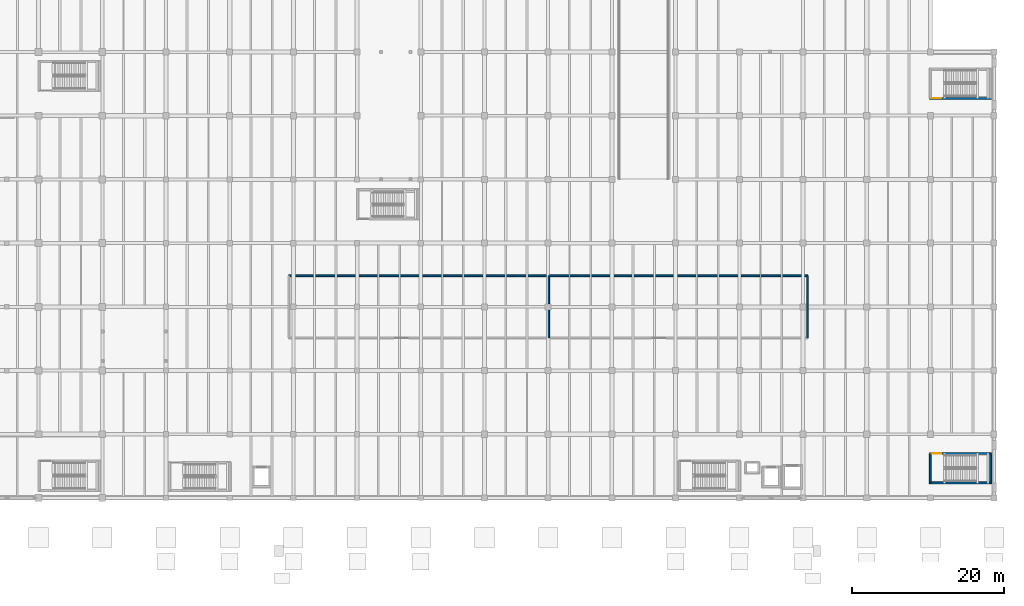
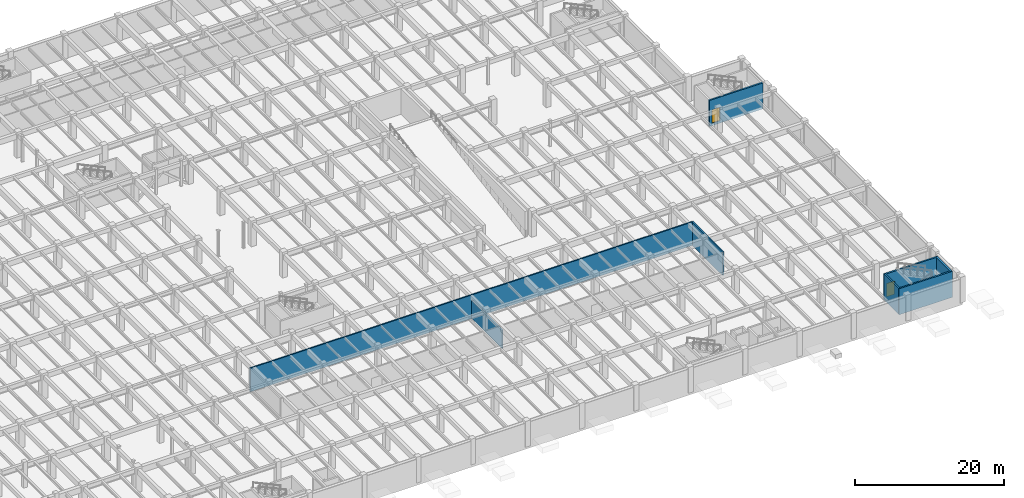
# One storey, part 46 of 63: 8 walls, 2 doors, 2 openings.
"""IFC4 building model written with IfcOpenShell, lengths in metres."""

from ifc_helpers import new_model, si_unit, direction, frame, frame_2d, origin, place, context, subcontext, project, spatial, rectangle, extrude, material, layer, layer_set, type_object, element, fill, save


model = new_model("IFC4")

# Units and contexts
model_context = context("Model", 3, precision=1e-05, world=origin(), true_north=direction((0.0, 1.0)))
body_context = subcontext(model_context, "Body", "Model", "MODEL_VIEW")
ifc_project = project(units=[si_unit("LENGTHUNIT", "METRE"), si_unit("AREAUNIT", "SQUARE_METRE"), si_unit("VOLUMEUNIT", "CUBIC_METRE"), si_unit("PLANEANGLEUNIT", "RADIAN"), si_unit("MASSUNIT", "GRAM", prefix="KILO")], contexts=[model_context])

# Site, building, storey
site_placement = place(None, origin())
site = spatial("IfcSite", under=ifc_project, at=site_placement, CompositionType="ELEMENT")
building_placement = place(site_placement, origin())
building = spatial("IfcBuilding", under=site, at=building_placement, Name="Cumbredor Promenade Congress Hotel", CompositionType="ELEMENT")
storey_placement = place(building_placement, frame((0.0, 0.0, -4.199951171875)))
storey = spatial("IfcBuildingStorey", under=building, at=storey_placement, Name="B01", CompositionType="ELEMENT", Elevation=-4.199951171875)

# Walls
ifc_material_1 = material(Name="Concrete C40/50", Category="concrete")
ifc_layer_1 = layer(ifc_material_1, 0.199951171875, Name="Concrete C40/50", Category="concrete")
ifc_layer_set_1 = layer_set([ifc_layer_1], Name="Concrete C40/50")
wall_type_1 = type_object("IfcWallType", Name="WL-CORE-200", PredefinedType="SOLIDWALL", material=ifc_layer_set_1)
wall_1_placement = place(storey_placement, frame((91.800048828125, 37.699951171875, 0.0), z_axis=(0.0, 0.0, 1.0), x_axis=(1.0, 0.0, 0.0)))
element("IfcWall", 1, at=wall_1_placement, inside=storey, type_object=wall_type_1, Name="B01 Interior Partition W-B01-02N", PredefinedType="SOLIDWALL", context=body_context, shape_type="SweptSolid", body=[
    extrude(rectangle(XDim=68.39990234375, YDim=0.199951171875, at=frame_2d((34.199951171875, 0.0))), origin(), (0.0, 0.0, 1.0), 3.849853515625),
])
wall_2_placement = place(storey_placement, frame((126.10009765625, 29.5, 0.0), z_axis=(0.0, 0.0, 1.0), x_axis=(0.0, 1.0, 0.0)))
element("IfcWall", 2, at=wall_2_placement, inside=storey, type_object=wall_type_1, Name="B01 Interior Partition W-B01-02M", PredefinedType="SOLIDWALL", context=body_context, shape_type="SweptSolid", body=[
    extrude(rectangle(XDim=8.199951171875, YDim=0.199951171875, at=frame_2d((4.10009765625, 0.0))), origin(), (0.0, 0.0, 1.0), 2.98486328125),
])
wall_3_placement = place(storey_placement, frame((160.199951171875, 29.5, 0.0), z_axis=(0.0, 0.0, 1.0), x_axis=(0.0, 1.0, 0.0)))
element("IfcWall", 3, at=wall_3_placement, inside=storey, type_object=wall_type_1, Name="B01 Interior Partition W-B01-02E", PredefinedType="SOLIDWALL", context=body_context, shape_type="SweptSolid", body=[
    extrude(rectangle(XDim=8.199951171875, YDim=0.199951171875, at=frame_2d((4.10009765625, 0.0))), origin(), (0.0, 0.0, 1.0), 3.849853515625),
])
ifc_layer_2 = layer(ifc_material_1, 0.2548828125, Name="Concrete C40/50", Category="concrete")
ifc_layer_set_2 = layer_set([ifc_layer_2], Name="Concrete C40/50")
wall_type_2 = type_object("IfcWallType", Name="WL-SHAFT-250", PredefinedType="SOLIDWALL", material=ifc_layer_set_2)
wall_4_placement = place(storey_placement, frame((176.25244140625, 10.3798828125, -0.400146484375), z_axis=(0.0, 0.0, 1.0), x_axis=(1.0, 0.0, 0.0)))
element("IfcWall", 4, at=wall_4_placement, inside=storey, type_object=wall_type_2, Name="STAIR-ST-09-B01 Shaft Wall South", PredefinedType="SOLIDWALL", context=body_context, shape_type="SweptSolid", body=[
    extrude(rectangle(XDim=8.22509765625, YDim=0.2548828125, at=frame_2d((4.112548828125, 0.0))), origin(), (0.0, 0.0, 1.0), 4.25),
])

# Wall, opening, door
wall_5_placement = place(storey_placement, frame((176.25244140625, 14.25, -0.400146484375), z_axis=(0.0, 0.0, 1.0), x_axis=(1.0, 0.0, 0.0)))
wall_5 = element("IfcWall", 5, at=wall_5_placement, inside=storey, type_object=wall_type_2, Name="STAIR-ST-09-B01 Shaft Wall North", PredefinedType="SOLIDWALL", context=body_context, shape_type="SweptSolid", body=[
    extrude(rectangle(XDim=8.22509765625, YDim=0.2548828125, at=frame_2d((4.112548828125, 0.0))), origin(), (0.0, 0.0, 1.0), 4.25),
])
opening_1_placement = place(wall_5_placement, frame((0.35009765625, 0.0, 0.39990234375)))
opening_1 = element("IfcOpeningElement", 6, at=opening_1_placement, cuts=wall_5, Name="Opening SD-02", PredefinedType="OPENING", context=body_context, shape_type="SweptSolid", body=[
    extrude(rectangle(XDim=1.25, YDim=2.199951171875, at=frame_2d((0.625, 1.10009765625))), frame((0.0, 0.137451171875, 0.0), z_axis=(0.0, -1.0, 0.0), x_axis=(1.0, 0.0, 0.0)), (0.0, 0.0, 1.0), 0.27490234375),
])
ifc_material_2 = material(Name="Painted galvanized steel fire door", Category="steel")
door_type = type_object("IfcDoorType", Name="DR-STAIR-FD90-1250", OperationType="NOTDEFINED", PredefinedType="DOOR", material=ifc_material_2)
door_1_placement = place(opening_1_placement, origin())
door_1 = element("IfcDoor", 7, at=door_1_placement, inside=storey, type_object=door_type, Name="B01 Protected Exit Stair ST-09 Door", OperationType="SINGLE_SWING_LEFT", OverallHeight=2.199951171875, OverallWidth=1.25, PredefinedType="DOOR", context=body_context, shape_type="SweptSolid", body=[
    extrude(rectangle(XDim=1.25, YDim=2.199951171875, at=frame_2d((0.625, 1.10009765625))), frame((0.0, 0.02490234375, 0.0), z_axis=(0.0, -1.0, 0.0), x_axis=(1.0, 0.0, 0.0)), (0.0, 0.0, 1.0), 0.050048828125),
])
fill(opening_1, door_1)

# Walls
for number, where, z_axis, x_axis, name in (
    (8, (176.3798828125, 10.3798828125, -0.400146484375), (0.0, 0.0, 1.0), (0.0, 1.0, 0.0), "STAIR-ST-09-B01 Shaft Wall West"),
    (9, (184.35009765625, 10.3798828125, -0.400146484375), (0.0, 0.0, 1.0), (0.0, 1.0, 0.0), "STAIR-ST-09-B01 Shaft Wall East"),
):
    element("IfcWall", number, at=place(storey_placement, frame(where, z_axis=z_axis, x_axis=x_axis)), inside=storey, type_object=wall_type_2, Name=name, PredefinedType="SOLIDWALL", context=body_context, shape_type="SweptSolid", body=[
        extrude(rectangle(XDim=3.8701171875, YDim=0.2548828125, at=frame_2d((1.93505859375, 0.0))), origin(), (0.0, 0.0, 1.0), 4.25),
    ])

# Wall, opening, door
wall_6_placement = place(storey_placement, frame((176.25244140625, 61.10009765625, -0.400146484375), z_axis=(0.0, 0.0, 1.0), x_axis=(1.0, 0.0, 0.0)))
wall_6 = element("IfcWall", 10, at=wall_6_placement, inside=storey, type_object=wall_type_2, Name="STAIR-ST-10-B01 Shaft Wall South", PredefinedType="SOLIDWALL", context=body_context, shape_type="SweptSolid", body=[
    extrude(rectangle(XDim=8.22509765625, YDim=0.2548828125, at=frame_2d((4.112548828125, 0.0))), origin(), (0.0, 0.0, 1.0), 4.25),
])
opening_2_placement = place(wall_6_placement, frame((0.35009765625, 0.0, 0.39990234375)))
opening_2 = element("IfcOpeningElement", 11, at=opening_2_placement, cuts=wall_6, Name="Opening SD-02", PredefinedType="OPENING", context=body_context, shape_type="SweptSolid", body=[
    extrude(rectangle(XDim=1.25, YDim=2.199951171875, at=frame_2d((0.625, 1.10009765625))), frame((0.0, 0.137451171875, 0.0), z_axis=(0.0, -1.0, 0.0), x_axis=(1.0, 0.0, 0.0)), (0.0, 0.0, 1.0), 0.27490234375),
])
door_2_placement = place(opening_2_placement, origin())
door_2 = element("IfcDoor", 12, at=door_2_placement, inside=storey, type_object=door_type, Name="B01 Protected Exit Stair ST-10 Door", OperationType="SINGLE_SWING_RIGHT", OverallHeight=2.199951171875, OverallWidth=1.25, PredefinedType="DOOR", context=body_context, shape_type="SweptSolid", body=[
    extrude(rectangle(XDim=1.25, YDim=2.199951171875, at=frame_2d((0.625, 1.10009765625))), frame((0.0, 0.02490234375, 0.0), z_axis=(0.0, -1.0, 0.0), x_axis=(1.0, 0.0, 0.0)), (0.0, 0.0, 1.0), 0.050048828125),
])
fill(opening_2, door_2)

save(model, "model.ifc")
